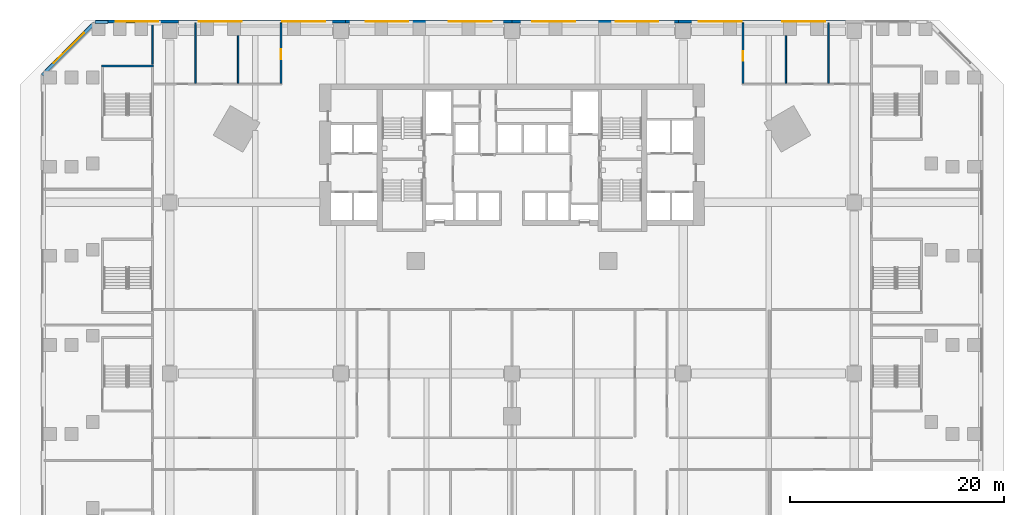
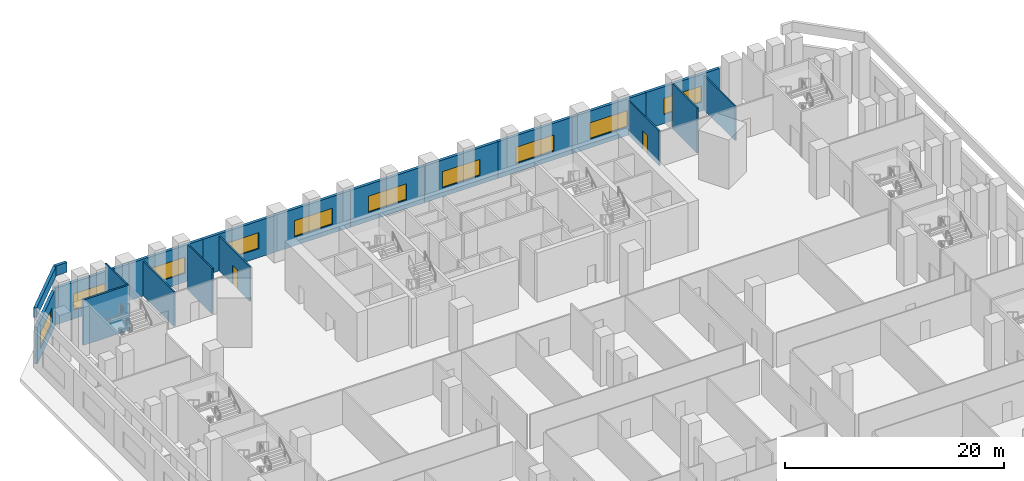
# One storey, part 11 of 22: 20 walls, 10 windows, 2 doors, 12 openings.
"""IFC4 building model written with IfcOpenShell, lengths in metres."""

from ifc_helpers import new_model, si_unit, direction, frame, frame_2d, origin, place, context, subcontext, project, spatial, rectangle, extrude, material, layer, layer_set, type_object, element, fill, save


model = new_model("IFC4")

# Units and contexts
model_context = context("Model", 3, precision=1e-05, world=origin(), true_north=direction((0.0, 1.0)))
body_context = subcontext(model_context, "Body", "Model", "MODEL_VIEW")
ifc_project = project(units=[si_unit("LENGTHUNIT", "METRE"), si_unit("AREAUNIT", "SQUARE_METRE"), si_unit("VOLUMEUNIT", "CUBIC_METRE"), si_unit("PLANEANGLEUNIT", "RADIAN"), si_unit("MASSUNIT", "GRAM", prefix="KILO")], contexts=[model_context])

# Site, building, storey
site_placement = place(None, origin())
site = spatial("IfcSite", under=ifc_project, at=site_placement, CompositionType="ELEMENT")
building_placement = place(site_placement, origin())
building = spatial("IfcBuilding", under=site, at=building_placement, Name="Calabash Gate Tower", CompositionType="ELEMENT")
storey_placement = place(building_placement, frame((0.0, 0.0, 29.0)))
storey = spatial("IfcBuildingStorey", under=building, at=storey_placement, Name="L03", CompositionType="ELEMENT", Elevation=29.0)

# Walls
ifc_material_1 = material(Name="Gypsum board on steel studs, mineral wool", Category="steel")
ifc_layer_1 = layer(ifc_material_1, 0.14990234375)
ifc_layer_set_1 = layer_set([ifc_layer_1], Name="Partition 150 gypsum board")
wall_type_1 = type_object("IfcWallType", Name="Partition 150 gypsum board", PredefinedType="PARTITIONING", material=ifc_layer_set_1)
wall_1_placement = place(storey_placement, frame((-29.60009765625, 19.125, 0.0), z_axis=(0.0, 0.0, 1.0), x_axis=(0.0, 1.0, 0.0)))
element("IfcWall", 1, at=wall_1_placement, inside=storey, type_object=wall_type_1, Name="Partition", PredefinedType="PARTITIONING", context=body_context, shape_type="SweptSolid", body=[
    extrude(rectangle(XDim=5.64501953125, YDim=0.14990234375, at=frame_2d((2.822509765625, 0.0))), origin(), (0.0, 0.0, 1.0), 3.85009765625),
])
wall_2_placement = place(storey_placement, frame((-25.60009765625, 19.125, 0.0), z_axis=(0.0, 0.0, 1.0), x_axis=(0.0, 1.0, 0.0)))
element("IfcWall", 2, at=wall_2_placement, inside=storey, type_object=wall_type_1, Name="Partition", PredefinedType="PARTITIONING", context=body_context, shape_type="SweptSolid", body=[
    extrude(rectangle(XDim=4.47509765625, YDim=0.14990234375, at=frame_2d((2.237548828125, 0.0))), origin(), (0.0, 0.0, 1.0), 5.050048828125),
])

# Wall, opening, door
wall_3_placement = place(storey_placement, frame((-21.60009765625, 19.125, 0.0), z_axis=(0.0, 0.0, 1.0), x_axis=(0.0, 1.0, 0.0)))
wall_3 = element("IfcWall", 3, at=wall_3_placement, inside=storey, type_object=wall_type_1, Name="Partition", PredefinedType="PARTITIONING", context=body_context, shape_type="SweptSolid", body=[
    extrude(rectangle(XDim=5.64501953125, YDim=0.14990234375, at=frame_2d((2.822509765625, 0.0))), origin(), (0.0, 0.0, 1.0), 3.85009765625),
])
opening_1_placement = place(wall_3_placement, frame((2.27490234375, 0.0, 0.0)))
opening_1 = element("IfcOpeningElement", 4, at=opening_1_placement, cuts=wall_3, Name="Opening L03-040", PredefinedType="OPENING", context=body_context, shape_type="SweptSolid", body=[
    extrude(rectangle(XDim=0.89990234375, YDim=2.10009765625, at=frame_2d((0.449951171875, 1.050048828125))), frame((0.0, 0.0849609375, 0.0), z_axis=(0.0, -1.0, 0.0), x_axis=(1.0, 0.0, 0.0)), (0.0, 0.0, 1.0), 0.169921875),
])
ifc_material_2 = material(Name="Steel fire door set with fire-resisting glazing", Category="steel")
door_type = type_object("IfcDoorType", Name="Fire door D13 900x2100 FD30", OperationType="NOTDEFINED", PredefinedType="DOOR", material=ifc_material_2)
door_1_placement = place(opening_1_placement, origin())
door_1 = element("IfcDoor", 5, at=door_1_placement, inside=storey, type_object=door_type, Name="Accessible WC door", OperationType="SINGLE_SWING_RIGHT", OverallHeight=2.10009765625, OverallWidth=0.89990234375, PredefinedType="DOOR", context=body_context, shape_type="SweptSolid", body=[
    extrude(rectangle(XDim=0.89990234375, YDim=2.10009765625, at=frame_2d((0.449951171875, 1.050048828125))), frame((0.0, 0.02490234375, 0.0), z_axis=(0.0, -1.0, 0.0), x_axis=(1.0, 0.0, 0.0)), (0.0, 0.0, 1.0), 0.050048828125),
])
fill(opening_1, door_1)

wall_4_placement = place(storey_placement, frame((21.60009765625, 19.125, 0.0), z_axis=(0.0, 0.0, 1.0), x_axis=(0.0, 1.0, 0.0)))
wall_4 = element("IfcWall", 6, at=wall_4_placement, inside=storey, type_object=wall_type_1, Name="Partition", PredefinedType="PARTITIONING", context=body_context, shape_type="SweptSolid", body=[
    extrude(rectangle(XDim=5.64501953125, YDim=0.14990234375, at=frame_2d((2.822509765625, 0.0))), origin(), (0.0, 0.0, 1.0), 3.85009765625),
])
opening_2_placement = place(wall_4_placement, frame((2.125, 0.0, 0.0)))
opening_2 = element("IfcOpeningElement", 7, at=opening_2_placement, cuts=wall_4, Name="Opening L03-041", PredefinedType="OPENING", context=body_context, shape_type="SweptSolid", body=[
    extrude(rectangle(XDim=0.89990234375, YDim=2.10009765625, at=frame_2d((0.449951171875, 1.050048828125))), frame((0.0, 0.0849609375, 0.0), z_axis=(0.0, -1.0, 0.0), x_axis=(1.0, 0.0, 0.0)), (0.0, 0.0, 1.0), 0.169921875),
])
door_2_placement = place(opening_2_placement, origin())
door_2 = element("IfcDoor", 8, at=door_2_placement, inside=storey, type_object=door_type, Name="Men's WC door", OperationType="SINGLE_SWING_RIGHT", OverallHeight=2.10009765625, OverallWidth=0.89990234375, PredefinedType="DOOR", context=body_context, shape_type="SweptSolid", body=[
    extrude(rectangle(XDim=0.89990234375, YDim=2.10009765625, at=frame_2d((0.449951171875, 1.050048828125))), frame((0.0, 0.02490234375, 0.0), z_axis=(0.0, -1.0, 0.0), x_axis=(1.0, 0.0, 0.0)), (0.0, 0.0, 1.0), 0.050048828125),
])
fill(opening_2, door_2)

# Walls
wall_5_placement = place(storey_placement, frame((25.60009765625, 19.125, 0.0), z_axis=(0.0, 0.0, 1.0), x_axis=(0.0, 1.0, 0.0)))
element("IfcWall", 9, at=wall_5_placement, inside=storey, type_object=wall_type_1, Name="Partition", PredefinedType="PARTITIONING", context=body_context, shape_type="SweptSolid", body=[
    extrude(rectangle(XDim=4.47509765625, YDim=0.14990234375, at=frame_2d((2.237548828125, 0.0))), origin(), (0.0, 0.0, 1.0), 5.050048828125),
])
wall_6_placement = place(storey_placement, frame((29.60009765625, 19.125, 0.0), z_axis=(0.0, 0.0, 1.0), x_axis=(0.0, 1.0, 0.0)))
element("IfcWall", 10, at=wall_6_placement, inside=storey, type_object=wall_type_1, Name="Partition", PredefinedType="PARTITIONING", context=body_context, shape_type="SweptSolid", body=[
    extrude(rectangle(XDim=5.64501953125, YDim=0.14990234375, at=frame_2d((2.822509765625, 0.0))), origin(), (0.0, 0.0, 1.0), 3.85009765625),
])
wall_7_placement = place(storey_placement, frame((-33.60009765625, 20.889892578125, 0.0), z_axis=(0.0, 0.0, 1.0), x_axis=(0.0, 1.0, 0.0)))
element("IfcWall", 11, at=wall_7_placement, inside=storey, type_object=wall_type_1, Name="Partition", PredefinedType="PARTITIONING", context=body_context, shape_type="SweptSolid", body=[
    extrude(rectangle(XDim=3.880126953125, YDim=0.14990234375, at=frame_2d((1.93994140625, 0.0))), origin(), (0.0, 0.0, 1.0), 5.050048828125),
])

# Wall, opening, window
ifc_material_3 = material(Name="Terracotta brick masonry, exposed face", Category="masonry")
ifc_layer_2 = layer(ifc_material_3, 0.300048828125)
ifc_layer_set_2 = layer_set([ifc_layer_2], Name="Podium brick wall 300")
wall_type_2 = type_object("IfcWallType", Name="Podium brick wall 300", PredefinedType="SOLIDWALL", material=ifc_layer_set_2)
wall_8_placement = place(storey_placement, frame((31.159912109375, 24.89990234375, 0.0), z_axis=(0.0, 0.0, 1.0), x_axis=(-1.0, 0.0, 0.0)))
wall_8 = element("IfcWall", 12, at=wall_8_placement, inside=storey, type_object=wall_type_2, Name="Podium brick wall L03 4.0.1", PredefinedType="SOLIDWALL", context=body_context, shape_type="SweptSolid", body=[
    extrude(rectangle(XDim=7.789794921875, YDim=0.300048828125, at=frame_2d((3.89501953125, 0.0))), origin(), (0.0, 0.0, 1.0), 4.10009765625),
])
opening_3_placement = place(wall_8_placement, frame((1.89501953125, 0.0, 1.0)))
opening_3 = element("IfcOpeningElement", 13, at=opening_3_placement, cuts=wall_8, Name="Opening WM1", PredefinedType="OPENING", context=body_context, shape_type="SweptSolid", body=[
    extrude(rectangle(XDim=4.0, YDim=1.800048828125, at=frame_2d((2.0, 0.89990234375))), frame((0.0, 0.159912109375, 0.0), z_axis=(0.0, -1.0, 0.0), x_axis=(1.0, 0.0, 0.0)), (0.0, 0.0, 1.0), 0.320068359375),
])
ifc_material_4 = material(Name="Anodised aluminium frame, bronze finish, impact-rated laminated clear glazing", Category="aluminium")
window_type = type_object("IfcWindowType", Name="Window WM1 4000x1800", PartitioningType="TRIPLE_PANEL_VERTICAL", PredefinedType="WINDOW", material=ifc_material_4)
window_1_placement = place(opening_3_placement, origin())
window_1 = element("IfcWindow", 14, at=window_1_placement, inside=storey, type_object=window_type, Name="Meeting room window L03 4.0.1", OverallHeight=1.800048828125, OverallWidth=4.0, PartitioningType="SINGLE_PANEL", PredefinedType="WINDOW", context=body_context, shape_type="SweptSolid", body=[
    extrude(rectangle(XDim=4.0, YDim=1.800048828125, at=frame_2d((2.0, 0.89990234375))), frame((0.0, 0.030029296875, 0.0), z_axis=(0.0, -1.0, 0.0), x_axis=(1.0, 0.0, 0.0)), (0.0, 0.0, 1.0), 0.06005859375),
])
fill(opening_3, window_1)

wall_9_placement = place(storey_placement, frame((23.3701171875, 24.89990234375, 0.0), z_axis=(0.0, 0.0, 1.0), x_axis=(-1.0, 0.0, 0.0)))
wall_9 = element("IfcWall", 15, at=wall_9_placement, inside=storey, type_object=wall_type_2, Name="Podium brick wall L03 4.0.2", PredefinedType="SOLIDWALL", context=body_context, shape_type="SweptSolid", body=[
    extrude(rectangle(XDim=7.7900390625, YDim=0.300048828125, at=frame_2d((3.89501953125, 0.0))), origin(), (0.0, 0.0, 1.0), 4.10009765625),
])
opening_4_placement = place(wall_9_placement, frame((1.89501953125, 0.0, 1.0)))
opening_4 = element("IfcOpeningElement", 16, at=opening_4_placement, cuts=wall_9, Name="Opening WM1", PredefinedType="OPENING", context=body_context, shape_type="SweptSolid", body=[
    extrude(rectangle(XDim=4.0, YDim=1.800048828125, at=frame_2d((2.0, 0.89990234375))), frame((0.0, 0.159912109375, 0.0), z_axis=(0.0, -1.0, 0.0), x_axis=(1.0, 0.0, 0.0)), (0.0, 0.0, 1.0), 0.320068359375),
])
window_2_placement = place(opening_4_placement, origin())
window_2 = element("IfcWindow", 17, at=window_2_placement, inside=storey, type_object=window_type, Name="Meeting room window L03 4.0.2", OverallHeight=1.800048828125, OverallWidth=4.0, PartitioningType="SINGLE_PANEL", PredefinedType="WINDOW", context=body_context, shape_type="SweptSolid", body=[
    extrude(rectangle(XDim=4.0, YDim=1.800048828125, at=frame_2d((2.0, 0.89990234375))), frame((0.0, 0.030029296875, 0.0), z_axis=(0.0, -1.0, 0.0), x_axis=(1.0, 0.0, 0.0)), (0.0, 0.0, 1.0), 0.06005859375),
])
fill(opening_4, window_2)

wall_10_placement = place(storey_placement, frame((15.580078125, 24.89990234375, 0.0), z_axis=(0.0, 0.0, 1.0), x_axis=(-1.0, 0.0, 0.0)))
wall_10 = element("IfcWall", 18, at=wall_10_placement, inside=storey, type_object=wall_type_2, Name="Podium brick wall L03 4.0.3", PredefinedType="SOLIDWALL", context=body_context, shape_type="SweptSolid", body=[
    extrude(rectangle(XDim=7.7900390625, YDim=0.300048828125, at=frame_2d((3.89501953125, 0.0))), origin(), (0.0, 0.0, 1.0), 4.10009765625),
])
opening_5_placement = place(wall_10_placement, frame((1.89501953125, 0.0, 1.0)))
opening_5 = element("IfcOpeningElement", 19, at=opening_5_placement, cuts=wall_10, Name="Opening WM1", PredefinedType="OPENING", context=body_context, shape_type="SweptSolid", body=[
    extrude(rectangle(XDim=4.0, YDim=1.800048828125, at=frame_2d((2.0, 0.89990234375))), frame((0.0, 0.159912109375, 0.0), z_axis=(0.0, -1.0, 0.0), x_axis=(1.0, 0.0, 0.0)), (0.0, 0.0, 1.0), 0.320068359375),
])
window_3_placement = place(opening_5_placement, origin())
window_3 = element("IfcWindow", 20, at=window_3_placement, inside=storey, type_object=window_type, Name="Meeting room window L03 4.0.3", OverallHeight=1.800048828125, OverallWidth=4.0, PartitioningType="SINGLE_PANEL", PredefinedType="WINDOW", context=body_context, shape_type="SweptSolid", body=[
    extrude(rectangle(XDim=4.0, YDim=1.800048828125, at=frame_2d((2.0, 0.89990234375))), frame((0.0, 0.030029296875, 0.0), z_axis=(0.0, -1.0, 0.0), x_axis=(1.0, 0.0, 0.0)), (0.0, 0.0, 1.0), 0.06005859375),
])
fill(opening_5, window_3)

wall_11_placement = place(storey_placement, frame((7.7900390625, 24.89990234375, 0.0), z_axis=(0.0, 0.0, 1.0), x_axis=(-1.0, 0.0, 0.0)))
wall_11 = element("IfcWall", 21, at=wall_11_placement, inside=storey, type_object=wall_type_2, Name="Podium brick wall L03 4.0.4", PredefinedType="SOLIDWALL", context=body_context, shape_type="SweptSolid", body=[
    extrude(rectangle(XDim=7.7900390625, YDim=0.300048828125, at=frame_2d((3.89501953125, 0.0))), origin(), (0.0, 0.0, 1.0), 4.10009765625),
])
opening_6_placement = place(wall_11_placement, frame((1.89501953125, 0.0, 1.0)))
opening_6 = element("IfcOpeningElement", 22, at=opening_6_placement, cuts=wall_11, Name="Opening WM1", PredefinedType="OPENING", context=body_context, shape_type="SweptSolid", body=[
    extrude(rectangle(XDim=4.0, YDim=1.800048828125, at=frame_2d((2.0, 0.89990234375))), frame((0.0, 0.159912109375, 0.0), z_axis=(0.0, -1.0, 0.0), x_axis=(1.0, 0.0, 0.0)), (0.0, 0.0, 1.0), 0.320068359375),
])
window_4_placement = place(opening_6_placement, origin())
window_4 = element("IfcWindow", 23, at=window_4_placement, inside=storey, type_object=window_type, Name="Meeting room window L03 4.0.4", OverallHeight=1.800048828125, OverallWidth=4.0, PartitioningType="SINGLE_PANEL", PredefinedType="WINDOW", context=body_context, shape_type="SweptSolid", body=[
    extrude(rectangle(XDim=4.0, YDim=1.800048828125, at=frame_2d((2.0, 0.89990234375))), frame((0.0, 0.030029296875, 0.0), z_axis=(0.0, -1.0, 0.0), x_axis=(1.0, 0.0, 0.0)), (0.0, 0.0, 1.0), 0.06005859375),
])
fill(opening_6, window_4)

wall_12_placement = place(storey_placement, frame((0.0, 24.89990234375, 0.0), z_axis=(0.0, 0.0, 1.0), x_axis=(-1.0, 0.0, 0.0)))
wall_12 = element("IfcWall", 24, at=wall_12_placement, inside=storey, type_object=wall_type_2, Name="Podium brick wall L03 4.0.5", PredefinedType="SOLIDWALL", context=body_context, shape_type="SweptSolid", body=[
    extrude(rectangle(XDim=7.7900390625, YDim=0.300048828125, at=frame_2d((3.89501953125, 0.0))), origin(), (0.0, 0.0, 1.0), 4.10009765625),
])
opening_7_placement = place(wall_12_placement, frame((1.89501953125, 0.0, 1.0)))
opening_7 = element("IfcOpeningElement", 25, at=opening_7_placement, cuts=wall_12, Name="Opening WM1", PredefinedType="OPENING", context=body_context, shape_type="SweptSolid", body=[
    extrude(rectangle(XDim=4.0, YDim=1.800048828125, at=frame_2d((2.0, 0.89990234375))), frame((0.0, 0.159912109375, 0.0), z_axis=(0.0, -1.0, 0.0), x_axis=(1.0, 0.0, 0.0)), (0.0, 0.0, 1.0), 0.320068359375),
])
window_5_placement = place(opening_7_placement, origin())
window_5 = element("IfcWindow", 26, at=window_5_placement, inside=storey, type_object=window_type, Name="Meeting room window L03 4.0.5", OverallHeight=1.800048828125, OverallWidth=4.0, PartitioningType="SINGLE_PANEL", PredefinedType="WINDOW", context=body_context, shape_type="SweptSolid", body=[
    extrude(rectangle(XDim=4.0, YDim=1.800048828125, at=frame_2d((2.0, 0.89990234375))), frame((0.0, 0.030029296875, 0.0), z_axis=(0.0, -1.0, 0.0), x_axis=(1.0, 0.0, 0.0)), (0.0, 0.0, 1.0), 0.06005859375),
])
fill(opening_7, window_5)

wall_13_placement = place(storey_placement, frame((-7.7900390625, 24.89990234375, 0.0), z_axis=(0.0, 0.0, 1.0), x_axis=(-1.0, 0.0, 0.0)))
wall_13 = element("IfcWall", 27, at=wall_13_placement, inside=storey, type_object=wall_type_2, Name="Podium brick wall L03 4.0.6", PredefinedType="SOLIDWALL", context=body_context, shape_type="SweptSolid", body=[
    extrude(rectangle(XDim=7.7900390625, YDim=0.300048828125, at=frame_2d((3.89501953125, 0.0))), origin(), (0.0, 0.0, 1.0), 4.10009765625),
])
opening_8_placement = place(wall_13_placement, frame((1.89501953125, 0.0, 1.0)))
opening_8 = element("IfcOpeningElement", 28, at=opening_8_placement, cuts=wall_13, Name="Opening WM1", PredefinedType="OPENING", context=body_context, shape_type="SweptSolid", body=[
    extrude(rectangle(XDim=4.0, YDim=1.800048828125, at=frame_2d((2.0, 0.89990234375))), frame((0.0, 0.159912109375, 0.0), z_axis=(0.0, -1.0, 0.0), x_axis=(1.0, 0.0, 0.0)), (0.0, 0.0, 1.0), 0.320068359375),
])
window_6_placement = place(opening_8_placement, origin())
window_6 = element("IfcWindow", 29, at=window_6_placement, inside=storey, type_object=window_type, Name="Meeting room window L03 4.0.6", OverallHeight=1.800048828125, OverallWidth=4.0, PartitioningType="SINGLE_PANEL", PredefinedType="WINDOW", context=body_context, shape_type="SweptSolid", body=[
    extrude(rectangle(XDim=4.0, YDim=1.800048828125, at=frame_2d((2.0, 0.89990234375))), frame((0.0, 0.030029296875, 0.0), z_axis=(0.0, -1.0, 0.0), x_axis=(1.0, 0.0, 0.0)), (0.0, 0.0, 1.0), 0.06005859375),
])
fill(opening_8, window_6)

wall_14_placement = place(storey_placement, frame((-15.580078125, 24.89990234375, 0.0), z_axis=(0.0, 0.0, 1.0), x_axis=(-1.0, 0.0, 0.0)))
wall_14 = element("IfcWall", 30, at=wall_14_placement, inside=storey, type_object=wall_type_2, Name="Podium brick wall L03 4.0.7", PredefinedType="SOLIDWALL", context=body_context, shape_type="SweptSolid", body=[
    extrude(rectangle(XDim=7.7900390625, YDim=0.300048828125, at=frame_2d((3.89501953125, 0.0))), origin(), (0.0, 0.0, 1.0), 4.10009765625),
])
opening_9_placement = place(wall_14_placement, frame((1.89501953125, 0.0, 1.0)))
opening_9 = element("IfcOpeningElement", 31, at=opening_9_placement, cuts=wall_14, Name="Opening WM1", PredefinedType="OPENING", context=body_context, shape_type="SweptSolid", body=[
    extrude(rectangle(XDim=4.0, YDim=1.800048828125, at=frame_2d((2.0, 0.89990234375))), frame((0.0, 0.159912109375, 0.0), z_axis=(0.0, -1.0, 0.0), x_axis=(1.0, 0.0, 0.0)), (0.0, 0.0, 1.0), 0.320068359375),
])
window_7_placement = place(opening_9_placement, origin())
window_7 = element("IfcWindow", 32, at=window_7_placement, inside=storey, type_object=window_type, Name="Meeting room window L03 4.0.7", OverallHeight=1.800048828125, OverallWidth=4.0, PartitioningType="SINGLE_PANEL", PredefinedType="WINDOW", context=body_context, shape_type="SweptSolid", body=[
    extrude(rectangle(XDim=4.0, YDim=1.800048828125, at=frame_2d((2.0, 0.89990234375))), frame((0.0, 0.030029296875, 0.0), z_axis=(0.0, -1.0, 0.0), x_axis=(1.0, 0.0, 0.0)), (0.0, 0.0, 1.0), 0.06005859375),
])
fill(opening_9, window_7)

wall_15_placement = place(storey_placement, frame((-23.3701171875, 24.89990234375, 0.0), z_axis=(0.0, 0.0, 1.0), x_axis=(-1.0, 0.0, 0.0)))
wall_15 = element("IfcWall", 33, at=wall_15_placement, inside=storey, type_object=wall_type_2, Name="Podium brick wall L03 4.0.8", PredefinedType="SOLIDWALL", context=body_context, shape_type="SweptSolid", body=[
    extrude(rectangle(XDim=7.789794921875, YDim=0.300048828125, at=frame_2d((3.89501953125, 0.0))), origin(), (0.0, 0.0, 1.0), 4.10009765625),
])
opening_10_placement = place(wall_15_placement, frame((1.89501953125, 0.0, 1.0)))
opening_10 = element("IfcOpeningElement", 34, at=opening_10_placement, cuts=wall_15, Name="Opening WM1", PredefinedType="OPENING", context=body_context, shape_type="SweptSolid", body=[
    extrude(rectangle(XDim=4.0, YDim=1.800048828125, at=frame_2d((2.0, 0.89990234375))), frame((0.0, 0.159912109375, 0.0), z_axis=(0.0, -1.0, 0.0), x_axis=(1.0, 0.0, 0.0)), (0.0, 0.0, 1.0), 0.320068359375),
])
window_8_placement = place(opening_10_placement, origin())
window_8 = element("IfcWindow", 35, at=window_8_placement, inside=storey, type_object=window_type, Name="Meeting room window L03 4.0.8", OverallHeight=1.800048828125, OverallWidth=4.0, PartitioningType="SINGLE_PANEL", PredefinedType="WINDOW", context=body_context, shape_type="SweptSolid", body=[
    extrude(rectangle(XDim=4.0, YDim=1.800048828125, at=frame_2d((2.0, 0.89990234375))), frame((0.0, 0.030029296875, 0.0), z_axis=(0.0, -1.0, 0.0), x_axis=(1.0, 0.0, 0.0)), (0.0, 0.0, 1.0), 0.06005859375),
])
fill(opening_10, window_8)

wall_16_placement = place(storey_placement, frame((-31.159912109375, 24.89990234375, 0.0), z_axis=(0.0, 0.0, 1.0), x_axis=(-1.0, 0.0, 0.0)))
wall_16 = element("IfcWall", 36, at=wall_16_placement, inside=storey, type_object=wall_type_2, Name="Podium brick wall L03 4.0.9", PredefinedType="SOLIDWALL", context=body_context, shape_type="SweptSolid", body=[
    extrude(rectangle(XDim=7.7900390625, YDim=0.300048828125, at=frame_2d((3.89501953125, 0.0))), origin(), (0.0, 0.0, 1.0), 4.10009765625),
])
opening_11_placement = place(wall_16_placement, frame((1.89501953125, 0.0, 1.0)))
opening_11 = element("IfcOpeningElement", 37, at=opening_11_placement, cuts=wall_16, Name="Opening WM1", PredefinedType="OPENING", context=body_context, shape_type="SweptSolid", body=[
    extrude(rectangle(XDim=4.0, YDim=1.800048828125, at=frame_2d((2.0, 0.89990234375))), frame((0.0, 0.159912109375, 0.0), z_axis=(0.0, -1.0, 0.0), x_axis=(1.0, 0.0, 0.0)), (0.0, 0.0, 1.0), 0.320068359375),
])
window_9_placement = place(opening_11_placement, origin())
window_9 = element("IfcWindow", 38, at=window_9_placement, inside=storey, type_object=window_type, Name="Meeting room window L03 4.0.9", OverallHeight=1.800048828125, OverallWidth=4.0, PartitioningType="SINGLE_PANEL", PredefinedType="WINDOW", context=body_context, shape_type="SweptSolid", body=[
    extrude(rectangle(XDim=4.0, YDim=1.800048828125, at=frame_2d((2.0, 0.89990234375))), frame((0.0, 0.030029296875, 0.0), z_axis=(0.0, -1.0, 0.0), x_axis=(1.0, 0.0, 0.0)), (0.0, 0.0, 1.0), 0.06005859375),
])
fill(opening_11, window_9)

wall_17_placement = place(storey_placement, frame((-39.27099609375, 24.587646484375, 0.0), z_axis=(0.0, 0.0, 1.0), x_axis=(-0.707106781187, -0.707106781187, 0.0)))
wall_17 = element("IfcWall", 39, at=wall_17_placement, inside=storey, type_object=wall_type_2, Name="Podium brick wall L03 5.0.0", PredefinedType="SOLIDWALL", context=body_context, shape_type="SweptSolid", body=[
    extrude(rectangle(XDim=6.104736328125, YDim=0.300048828125, at=frame_2d((3.05224609375, 0.0))), origin(), (0.0, 0.0, 1.0), 4.10009765625),
])
opening_12_placement = place(wall_17_placement, frame((1.05224609375, 0.0, 1.0)))
opening_12 = element("IfcOpeningElement", 40, at=opening_12_placement, cuts=wall_17, Name="Opening WM1", PredefinedType="OPENING", context=body_context, shape_type="SweptSolid", body=[
    extrude(rectangle(XDim=4.0, YDim=1.800048828125, at=frame_2d((2.0, 0.89990234375))), frame((0.0, 0.159912109375, 0.0), z_axis=(0.0, -1.0, 0.0), x_axis=(1.0, 0.0, 0.0)), (0.0, 0.0, 1.0), 0.320068359375),
])
window_10_placement = place(opening_12_placement, origin())
window_10 = element("IfcWindow", 41, at=window_10_placement, inside=storey, type_object=window_type, Name="Meeting room window L03 5.0.0", OverallHeight=1.800048828125, OverallWidth=4.0, PartitioningType="SINGLE_PANEL", PredefinedType="WINDOW", context=body_context, shape_type="SweptSolid", body=[
    extrude(rectangle(XDim=4.0, YDim=1.800048828125, at=frame_2d((2.0, 0.89990234375))), frame((0.0, 0.030029296875, 0.0), z_axis=(0.0, -1.0, 0.0), x_axis=(1.0, 0.0, 0.0)), (0.0, 0.0, 1.0), 0.06005859375),
])
fill(opening_12, window_10)

# Walls
ifc_material_5 = material(Name="Terracotta brick masonry, exposed face", Category="masonry")
ifc_layer_3 = layer(ifc_material_5, 0.300048828125)
ifc_layer_set_3 = layer_set([ifc_layer_3], Name="Podium parapet wall 300")
wall_type_3 = type_object("IfcWallType", Name="Podium parapet wall 300", PredefinedType="PARAPET", material=ifc_layer_set_3)
wall_18_placement = place(storey_placement, frame((-37.75, 24.85009765625, 5.5), z_axis=(0.0, 0.0, 1.0), x_axis=(-1.0, 0.0, 0.0)))
element("IfcWall", 42, at=wall_18_placement, inside=storey, type_object=wall_type_3, Name="Podium parapet L03 4.1.0", PredefinedType="PARAPET", context=body_context, shape_type="SweptSolid", body=[
    extrude(rectangle(XDim=1.25, YDim=0.300048828125, at=frame_2d((0.625, 0.0))), origin(), (0.0, 0.0, 1.0), 1.10009765625),
])
wall_19_placement = place(storey_placement, frame((-39.04248046875, 24.745361328125, 5.5), z_axis=(0.0, 0.0, 1.0), x_axis=(-0.707124572946, -0.70708898898, 0.0)))
element("IfcWall", 43, at=wall_19_placement, inside=storey, type_object=wall_type_3, Name="Podium parapet L03 5.0.0", PredefinedType="PARAPET", context=body_context, shape_type="SweptSolid", body=[
    extrude(rectangle(XDim=6.861083984375, YDim=0.300048828125, at=frame_2d((3.4306640625, 0.0))), origin(), (0.0, 0.0, 1.0), 1.10009765625),
])
ifc_material_6 = material(Name="Concrete C40/50", Category="concrete")
ifc_layer_4 = layer(ifc_material_6, 0.199951171875)
ifc_layer_set_4 = layer_set([ifc_layer_4], Name="Stair wall 200 Concrete C40/50")
wall_type_4 = type_object("IfcWallType", Name="Stair wall 200 Concrete C40/50", PredefinedType="SOLIDWALL", material=ifc_layer_set_4)
wall_20_placement = place(storey_placement, frame((-38.3701171875, 20.75, 0.0), z_axis=(0.0, 0.0, 1.0), x_axis=(1.0, 0.0, 0.0)))
element("IfcWall", 44, at=wall_20_placement, inside=storey, type_object=wall_type_4, Name="Stair wall", PredefinedType="SOLIDWALL", context=body_context, shape_type="SweptSolid", body=[
    extrude(rectangle(XDim=4.8701171875, YDim=0.199951171875, at=frame_2d((2.43505859375, 0.0))), origin(), (0.0, 0.0, 1.0), 5.050048828125),
])

save(model, "model.ifc")
